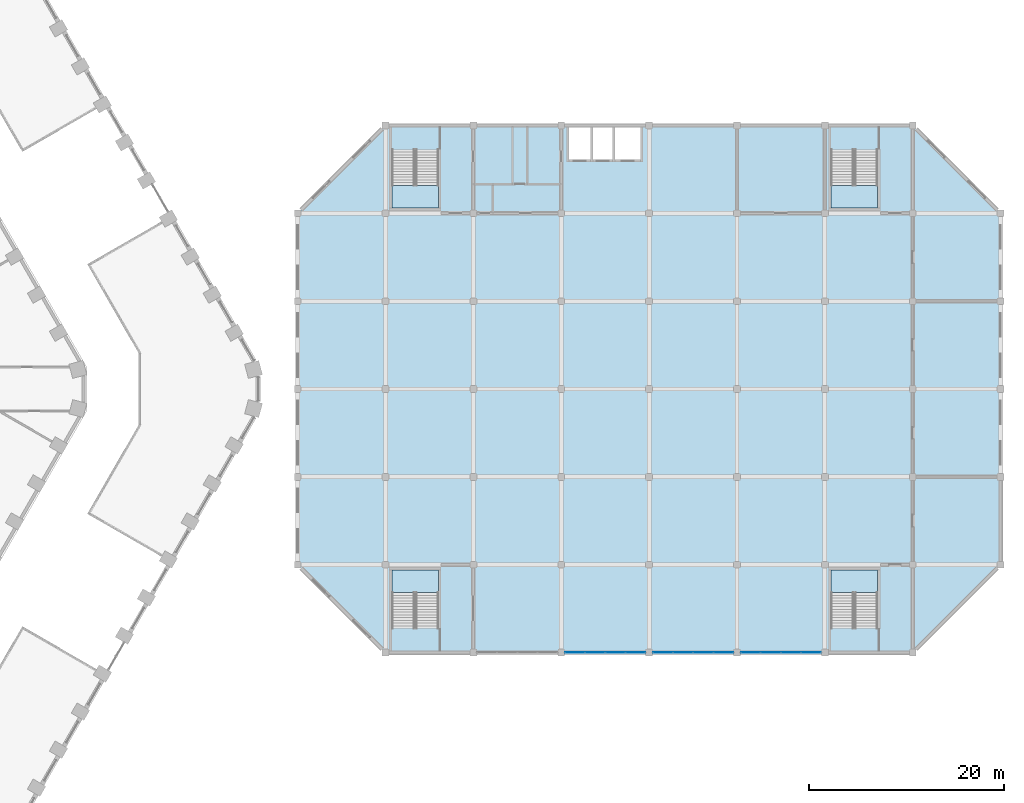
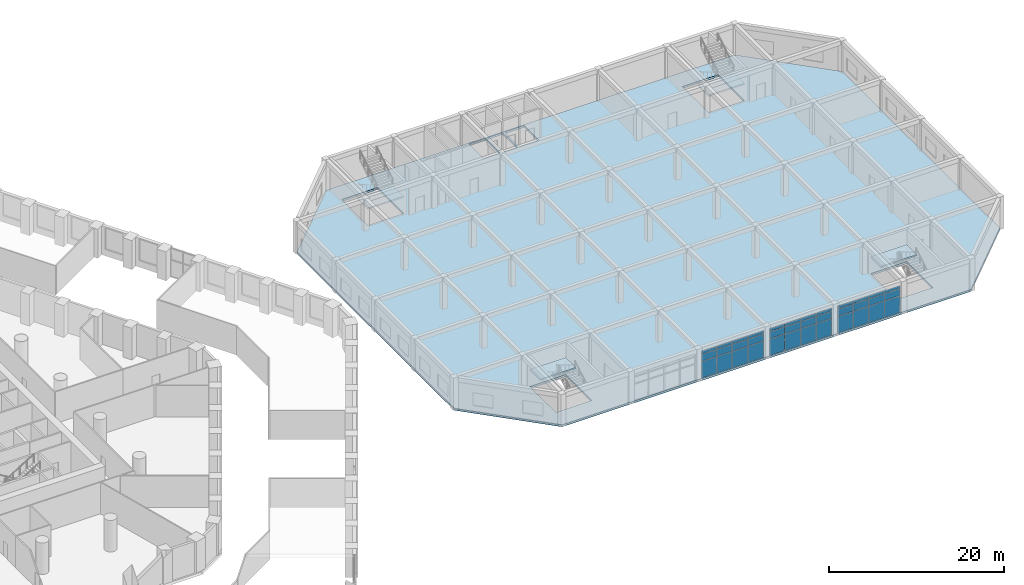
# One storey, part 16 of 42: 36 plates, 5 slabs, 7 elements without a shape of their own.
"""IFC4 building model written with IfcOpenShell, lengths in metres."""

from ifc_helpers import new_model, si_unit, direction, frame, origin, origin_2d, place, context, subcontext, project, spatial, polyline, rectangle, outline, extrude, material, layer, layer_set, type_object, element, aggregate, save


model = new_model("IFC4")

# Units and contexts
model_context = context("Model", 3, precision=1e-05, world=origin(), true_north=direction((0.0, 1.0)))
body_context = subcontext(model_context, "Body", "Model", "MODEL_VIEW")
ifc_project = project(units=[si_unit("LENGTHUNIT", "METRE"), si_unit("AREAUNIT", "SQUARE_METRE"), si_unit("VOLUMEUNIT", "CUBIC_METRE"), si_unit("PLANEANGLEUNIT", "RADIAN"), si_unit("MASSUNIT", "GRAM", prefix="KILO")], contexts=[model_context])

# Site, building, storey
site_placement = place(None, origin())
site = spatial("IfcSite", under=ifc_project, at=site_placement, CompositionType="ELEMENT")
building_placement = place(site_placement, origin())
building = spatial("IfcBuilding", under=site, at=building_placement, Name="Dhurran Vertical Campus", CompositionType="ELEMENT")
storey_placement = place(building_placement, frame((0.0, 0.0, 6.0)))
storey = spatial("IfcBuildingStorey", under=building, at=storey_placement, Name="L01", CompositionType="ELEMENT", Elevation=6.0)

# Curtain wall, plates
ifc_material_1 = material(Name="Aluminium", Category="aluminium")
ifc_layer_1 = layer(ifc_material_1, 0.159912109375)
ifc_layer_set_1 = layer_set([ifc_layer_1], Name="Aluminium")
curtain_wall_type = type_object("IfcCurtainWallType", Name="hl-curtain wall system", PredefinedType="NOTDEFINED", material=ifc_layer_set_1)
curtain_wall_1_placement = place(storey_placement, origin())
curtain_wall_1 = element("IfcCurtainWall", 1, at=curtain_wall_1_placement, inside=storey, type_object=curtain_wall_type, Name="Hall curtain wall L01-06", PredefinedType="NOTDEFINED")
ifc_material_2 = material(Name="Glass laminated", Category="glass")
ifc_layer_2 = layer(ifc_material_2, 0.028076171875)
ifc_layer_set_2 = layer_set([ifc_layer_2], Name="Glass laminated")
plate_type = type_object("IfcPlateType", Name="hl-cw glass panel 28", PredefinedType="CURTAIN_PANEL", material=ifc_layer_set_2)
plate_1_placement = place(storey_placement, frame((89.902587890625, -27.0, 0.06005859375), z_axis=(0.0, 0.0, 1.0), x_axis=(1.0, 0.0, 0.0)))
plate_1 = element("IfcPlate", 2, at=plate_1_placement, type_object=plate_type, Name="HCW panel 1.1", PredefinedType="CURTAIN_PANEL", context=body_context, shape_type="SweptSolid", body=[
    extrude(rectangle(XDim=1.985107421875, YDim=0.028076171875, at=origin_2d()), origin(), (0.0, 0.0, 1.0), 2.31005859375),
])
plate_2_placement = place(storey_placement, frame((89.902587890625, -27.0, 2.429931640625), z_axis=(0.0, 0.0, 1.0), x_axis=(1.0, 0.0, 0.0)))
plate_2 = element("IfcPlate", 3, at=plate_2_placement, type_object=plate_type, Name="HCW panel 1.2", PredefinedType="CURTAIN_PANEL", context=body_context, shape_type="SweptSolid", body=[
    extrude(rectangle(XDim=1.985107421875, YDim=0.028076171875, at=origin_2d()), origin(), (0.0, 0.0, 1.0), 0.93994140625),
])
plate_3_placement = place(storey_placement, frame((89.902587890625, -27.0, 3.43017578125), z_axis=(0.0, 0.0, 1.0), x_axis=(1.0, 0.0, 0.0)))
plate_3 = element("IfcPlate", 4, at=plate_3_placement, type_object=plate_type, Name="HCW panel 1.3", PredefinedType="CURTAIN_PANEL", context=body_context, shape_type="SweptSolid", body=[
    extrude(rectangle(XDim=1.985107421875, YDim=0.028076171875, at=origin_2d()), origin(), (0.0, 0.0, 1.0), 0.409912109375),
])
plate_4_placement = place(storey_placement, frame((91.96240234375, -27.0, 0.06005859375), z_axis=(0.0, 0.0, 1.0), x_axis=(1.0, 0.0, 0.0)))
plate_4 = element("IfcPlate", 5, at=plate_4_placement, type_object=plate_type, Name="HCW panel 2.1", PredefinedType="CURTAIN_PANEL", context=body_context, shape_type="SweptSolid", body=[
    extrude(rectangle(XDim=2.014892578125, YDim=0.028076171875, at=origin_2d()), origin(), (0.0, 0.0, 1.0), 2.31005859375),
])
plate_5_placement = place(storey_placement, frame((91.96240234375, -27.0, 2.429931640625), z_axis=(0.0, 0.0, 1.0), x_axis=(1.0, 0.0, 0.0)))
plate_5 = element("IfcPlate", 6, at=plate_5_placement, type_object=plate_type, Name="HCW panel 2.2", PredefinedType="CURTAIN_PANEL", context=body_context, shape_type="SweptSolid", body=[
    extrude(rectangle(XDim=2.014892578125, YDim=0.028076171875, at=origin_2d()), origin(), (0.0, 0.0, 1.0), 0.93994140625),
])
plate_6_placement = place(storey_placement, frame((91.96240234375, -27.0, 3.43017578125), z_axis=(0.0, 0.0, 1.0), x_axis=(1.0, 0.0, 0.0)))
plate_6 = element("IfcPlate", 7, at=plate_6_placement, type_object=plate_type, Name="HCW panel 2.3", PredefinedType="CURTAIN_PANEL", context=body_context, shape_type="SweptSolid", body=[
    extrude(rectangle(XDim=2.014892578125, YDim=0.028076171875, at=origin_2d()), origin(), (0.0, 0.0, 1.0), 0.409912109375),
])
plate_7_placement = place(storey_placement, frame((94.03759765625, -27.0, 0.06005859375), z_axis=(0.0, 0.0, 1.0), x_axis=(1.0, 0.0, 0.0)))
plate_7 = element("IfcPlate", 8, at=plate_7_placement, type_object=plate_type, Name="HCW panel 3.1", PredefinedType="CURTAIN_PANEL", context=body_context, shape_type="SweptSolid", body=[
    extrude(rectangle(XDim=2.014892578125, YDim=0.028076171875, at=origin_2d()), origin(), (0.0, 0.0, 1.0), 2.31005859375),
])
plate_8_placement = place(storey_placement, frame((94.03759765625, -27.0, 2.429931640625), z_axis=(0.0, 0.0, 1.0), x_axis=(1.0, 0.0, 0.0)))
plate_8 = element("IfcPlate", 9, at=plate_8_placement, type_object=plate_type, Name="HCW panel 3.2", PredefinedType="CURTAIN_PANEL", context=body_context, shape_type="SweptSolid", body=[
    extrude(rectangle(XDim=2.014892578125, YDim=0.028076171875, at=origin_2d()), origin(), (0.0, 0.0, 1.0), 0.93994140625),
])
plate_9_placement = place(storey_placement, frame((94.03759765625, -27.0, 3.43017578125), z_axis=(0.0, 0.0, 1.0), x_axis=(1.0, 0.0, 0.0)))
plate_9 = element("IfcPlate", 10, at=plate_9_placement, type_object=plate_type, Name="HCW panel 3.3", PredefinedType="CURTAIN_PANEL", context=body_context, shape_type="SweptSolid", body=[
    extrude(rectangle(XDim=2.014892578125, YDim=0.028076171875, at=origin_2d()), origin(), (0.0, 0.0, 1.0), 0.409912109375),
])
plate_10_placement = place(storey_placement, frame((96.097412109375, -27.0, 0.06005859375), z_axis=(0.0, 0.0, 1.0), x_axis=(1.0, 0.0, 0.0)))
plate_10 = element("IfcPlate", 11, at=plate_10_placement, type_object=plate_type, Name="HCW panel 4.1", PredefinedType="CURTAIN_PANEL", context=body_context, shape_type="SweptSolid", body=[
    extrude(rectangle(XDim=1.985107421875, YDim=0.028076171875, at=origin_2d()), origin(), (0.0, 0.0, 1.0), 2.31005859375),
])
plate_11_placement = place(storey_placement, frame((96.097412109375, -27.0, 2.429931640625), z_axis=(0.0, 0.0, 1.0), x_axis=(1.0, 0.0, 0.0)))
plate_11 = element("IfcPlate", 12, at=plate_11_placement, type_object=plate_type, Name="HCW panel 4.2", PredefinedType="CURTAIN_PANEL", context=body_context, shape_type="SweptSolid", body=[
    extrude(rectangle(XDim=1.985107421875, YDim=0.028076171875, at=origin_2d()), origin(), (0.0, 0.0, 1.0), 0.93994140625),
])
plate_12_placement = place(storey_placement, frame((96.097412109375, -27.0, 3.43017578125), z_axis=(0.0, 0.0, 1.0), x_axis=(1.0, 0.0, 0.0)))
plate_12 = element("IfcPlate", 13, at=plate_12_placement, type_object=plate_type, Name="HCW panel 4.3", PredefinedType="CURTAIN_PANEL", context=body_context, shape_type="SweptSolid", body=[
    extrude(rectangle(XDim=1.985107421875, YDim=0.028076171875, at=origin_2d()), origin(), (0.0, 0.0, 1.0), 0.409912109375),
])
aggregate(curtain_wall_1, [plate_1, plate_2, plate_3, plate_4, plate_5, plate_6, plate_7, plate_8, plate_9, plate_10, plate_11, plate_12])

curtain_wall_2_placement = place(storey_placement, origin())
curtain_wall_2 = element("IfcCurtainWall", 14, at=curtain_wall_2_placement, inside=storey, type_object=curtain_wall_type, Name="Hall curtain wall L01-07", PredefinedType="NOTDEFINED")
plate_13_placement = place(storey_placement, frame((98.902587890625, -27.0, 0.06005859375), z_axis=(0.0, 0.0, 1.0), x_axis=(1.0, 0.0, 0.0)))
plate_13 = element("IfcPlate", 15, at=plate_13_placement, type_object=plate_type, Name="HCW panel 1.1", PredefinedType="CURTAIN_PANEL", context=body_context, shape_type="SweptSolid", body=[
    extrude(rectangle(XDim=1.985107421875, YDim=0.028076171875, at=origin_2d()), origin(), (0.0, 0.0, 1.0), 2.31005859375),
])
plate_14_placement = place(storey_placement, frame((98.902587890625, -27.0, 2.429931640625), z_axis=(0.0, 0.0, 1.0), x_axis=(1.0, 0.0, 0.0)))
plate_14 = element("IfcPlate", 16, at=plate_14_placement, type_object=plate_type, Name="HCW panel 1.2", PredefinedType="CURTAIN_PANEL", context=body_context, shape_type="SweptSolid", body=[
    extrude(rectangle(XDim=1.985107421875, YDim=0.028076171875, at=origin_2d()), origin(), (0.0, 0.0, 1.0), 0.93994140625),
])
plate_15_placement = place(storey_placement, frame((98.902587890625, -27.0, 3.43017578125), z_axis=(0.0, 0.0, 1.0), x_axis=(1.0, 0.0, 0.0)))
plate_15 = element("IfcPlate", 17, at=plate_15_placement, type_object=plate_type, Name="HCW panel 1.3", PredefinedType="CURTAIN_PANEL", context=body_context, shape_type="SweptSolid", body=[
    extrude(rectangle(XDim=1.985107421875, YDim=0.028076171875, at=origin_2d()), origin(), (0.0, 0.0, 1.0), 0.409912109375),
])
plate_16_placement = place(storey_placement, frame((100.96240234375, -27.0, 0.06005859375), z_axis=(0.0, 0.0, 1.0), x_axis=(1.0, 0.0, 0.0)))
plate_16 = element("IfcPlate", 18, at=plate_16_placement, type_object=plate_type, Name="HCW panel 2.1", PredefinedType="CURTAIN_PANEL", context=body_context, shape_type="SweptSolid", body=[
    extrude(rectangle(XDim=2.014892578125, YDim=0.028076171875, at=origin_2d()), origin(), (0.0, 0.0, 1.0), 2.31005859375),
])
plate_17_placement = place(storey_placement, frame((100.96240234375, -27.0, 2.429931640625), z_axis=(0.0, 0.0, 1.0), x_axis=(1.0, 0.0, 0.0)))
plate_17 = element("IfcPlate", 19, at=plate_17_placement, type_object=plate_type, Name="HCW panel 2.2", PredefinedType="CURTAIN_PANEL", context=body_context, shape_type="SweptSolid", body=[
    extrude(rectangle(XDim=2.014892578125, YDim=0.028076171875, at=origin_2d()), origin(), (0.0, 0.0, 1.0), 0.93994140625),
])
plate_18_placement = place(storey_placement, frame((100.96240234375, -27.0, 3.43017578125), z_axis=(0.0, 0.0, 1.0), x_axis=(1.0, 0.0, 0.0)))
plate_18 = element("IfcPlate", 20, at=plate_18_placement, type_object=plate_type, Name="HCW panel 2.3", PredefinedType="CURTAIN_PANEL", context=body_context, shape_type="SweptSolid", body=[
    extrude(rectangle(XDim=2.014892578125, YDim=0.028076171875, at=origin_2d()), origin(), (0.0, 0.0, 1.0), 0.409912109375),
])
plate_19_placement = place(storey_placement, frame((103.03759765625, -27.0, 0.06005859375), z_axis=(0.0, 0.0, 1.0), x_axis=(1.0, 0.0, 0.0)))
plate_19 = element("IfcPlate", 21, at=plate_19_placement, type_object=plate_type, Name="HCW panel 3.1", PredefinedType="CURTAIN_PANEL", context=body_context, shape_type="SweptSolid", body=[
    extrude(rectangle(XDim=2.014892578125, YDim=0.028076171875, at=origin_2d()), origin(), (0.0, 0.0, 1.0), 2.31005859375),
])
plate_20_placement = place(storey_placement, frame((103.03759765625, -27.0, 2.429931640625), z_axis=(0.0, 0.0, 1.0), x_axis=(1.0, 0.0, 0.0)))
plate_20 = element("IfcPlate", 22, at=plate_20_placement, type_object=plate_type, Name="HCW panel 3.2", PredefinedType="CURTAIN_PANEL", context=body_context, shape_type="SweptSolid", body=[
    extrude(rectangle(XDim=2.014892578125, YDim=0.028076171875, at=origin_2d()), origin(), (0.0, 0.0, 1.0), 0.93994140625),
])
plate_21_placement = place(storey_placement, frame((103.03759765625, -27.0, 3.43017578125), z_axis=(0.0, 0.0, 1.0), x_axis=(1.0, 0.0, 0.0)))
plate_21 = element("IfcPlate", 23, at=plate_21_placement, type_object=plate_type, Name="HCW panel 3.3", PredefinedType="CURTAIN_PANEL", context=body_context, shape_type="SweptSolid", body=[
    extrude(rectangle(XDim=2.014892578125, YDim=0.028076171875, at=origin_2d()), origin(), (0.0, 0.0, 1.0), 0.409912109375),
])
plate_22_placement = place(storey_placement, frame((105.097412109375, -27.0, 0.06005859375), z_axis=(0.0, 0.0, 1.0), x_axis=(1.0, 0.0, 0.0)))
plate_22 = element("IfcPlate", 24, at=plate_22_placement, type_object=plate_type, Name="HCW panel 4.1", PredefinedType="CURTAIN_PANEL", context=body_context, shape_type="SweptSolid", body=[
    extrude(rectangle(XDim=1.985107421875, YDim=0.028076171875, at=origin_2d()), origin(), (0.0, 0.0, 1.0), 2.31005859375),
])
plate_23_placement = place(storey_placement, frame((105.097412109375, -27.0, 2.429931640625), z_axis=(0.0, 0.0, 1.0), x_axis=(1.0, 0.0, 0.0)))
plate_23 = element("IfcPlate", 25, at=plate_23_placement, type_object=plate_type, Name="HCW panel 4.2", PredefinedType="CURTAIN_PANEL", context=body_context, shape_type="SweptSolid", body=[
    extrude(rectangle(XDim=1.985107421875, YDim=0.028076171875, at=origin_2d()), origin(), (0.0, 0.0, 1.0), 0.93994140625),
])
plate_24_placement = place(storey_placement, frame((105.097412109375, -27.0, 3.43017578125), z_axis=(0.0, 0.0, 1.0), x_axis=(1.0, 0.0, 0.0)))
plate_24 = element("IfcPlate", 26, at=plate_24_placement, type_object=plate_type, Name="HCW panel 4.3", PredefinedType="CURTAIN_PANEL", context=body_context, shape_type="SweptSolid", body=[
    extrude(rectangle(XDim=1.985107421875, YDim=0.028076171875, at=origin_2d()), origin(), (0.0, 0.0, 1.0), 0.409912109375),
])
aggregate(curtain_wall_2, [plate_13, plate_14, plate_15, plate_16, plate_17, plate_18, plate_19, plate_20, plate_21, plate_22, plate_23, plate_24])

curtain_wall_3_placement = place(storey_placement, origin())
curtain_wall_3 = element("IfcCurtainWall", 27, at=curtain_wall_3_placement, inside=storey, type_object=curtain_wall_type, Name="Hall curtain wall L01-08", PredefinedType="NOTDEFINED")
plate_25_placement = place(storey_placement, frame((107.902587890625, -27.0, 0.06005859375), z_axis=(0.0, 0.0, 1.0), x_axis=(1.0, 0.0, 0.0)))
plate_25 = element("IfcPlate", 28, at=plate_25_placement, type_object=plate_type, Name="HCW panel 1.1", PredefinedType="CURTAIN_PANEL", context=body_context, shape_type="SweptSolid", body=[
    extrude(rectangle(XDim=1.985107421875, YDim=0.028076171875, at=origin_2d()), origin(), (0.0, 0.0, 1.0), 2.31005859375),
])
plate_26_placement = place(storey_placement, frame((107.902587890625, -27.0, 2.429931640625), z_axis=(0.0, 0.0, 1.0), x_axis=(1.0, 0.0, 0.0)))
plate_26 = element("IfcPlate", 29, at=plate_26_placement, type_object=plate_type, Name="HCW panel 1.2", PredefinedType="CURTAIN_PANEL", context=body_context, shape_type="SweptSolid", body=[
    extrude(rectangle(XDim=1.985107421875, YDim=0.028076171875, at=origin_2d()), origin(), (0.0, 0.0, 1.0), 0.93994140625),
])
plate_27_placement = place(storey_placement, frame((107.902587890625, -27.0, 3.43017578125), z_axis=(0.0, 0.0, 1.0), x_axis=(1.0, 0.0, 0.0)))
plate_27 = element("IfcPlate", 30, at=plate_27_placement, type_object=plate_type, Name="HCW panel 1.3", PredefinedType="CURTAIN_PANEL", context=body_context, shape_type="SweptSolid", body=[
    extrude(rectangle(XDim=1.985107421875, YDim=0.028076171875, at=origin_2d()), origin(), (0.0, 0.0, 1.0), 0.409912109375),
])
plate_28_placement = place(storey_placement, frame((109.96240234375, -27.0, 0.06005859375), z_axis=(0.0, 0.0, 1.0), x_axis=(1.0, 0.0, 0.0)))
plate_28 = element("IfcPlate", 31, at=plate_28_placement, type_object=plate_type, Name="HCW panel 2.1", PredefinedType="CURTAIN_PANEL", context=body_context, shape_type="SweptSolid", body=[
    extrude(rectangle(XDim=2.014892578125, YDim=0.028076171875, at=origin_2d()), origin(), (0.0, 0.0, 1.0), 2.31005859375),
])
plate_29_placement = place(storey_placement, frame((109.96240234375, -27.0, 2.429931640625), z_axis=(0.0, 0.0, 1.0), x_axis=(1.0, 0.0, 0.0)))
plate_29 = element("IfcPlate", 32, at=plate_29_placement, type_object=plate_type, Name="HCW panel 2.2", PredefinedType="CURTAIN_PANEL", context=body_context, shape_type="SweptSolid", body=[
    extrude(rectangle(XDim=2.014892578125, YDim=0.028076171875, at=origin_2d()), origin(), (0.0, 0.0, 1.0), 0.93994140625),
])
plate_30_placement = place(storey_placement, frame((109.96240234375, -27.0, 3.43017578125), z_axis=(0.0, 0.0, 1.0), x_axis=(1.0, 0.0, 0.0)))
plate_30 = element("IfcPlate", 33, at=plate_30_placement, type_object=plate_type, Name="HCW panel 2.3", PredefinedType="CURTAIN_PANEL", context=body_context, shape_type="SweptSolid", body=[
    extrude(rectangle(XDim=2.014892578125, YDim=0.028076171875, at=origin_2d()), origin(), (0.0, 0.0, 1.0), 0.409912109375),
])
plate_31_placement = place(storey_placement, frame((112.03759765625, -27.0, 0.06005859375), z_axis=(0.0, 0.0, 1.0), x_axis=(1.0, 0.0, 0.0)))
plate_31 = element("IfcPlate", 34, at=plate_31_placement, type_object=plate_type, Name="HCW panel 3.1", PredefinedType="CURTAIN_PANEL", context=body_context, shape_type="SweptSolid", body=[
    extrude(rectangle(XDim=2.014892578125, YDim=0.028076171875, at=origin_2d()), origin(), (0.0, 0.0, 1.0), 2.31005859375),
])
plate_32_placement = place(storey_placement, frame((112.03759765625, -27.0, 2.429931640625), z_axis=(0.0, 0.0, 1.0), x_axis=(1.0, 0.0, 0.0)))
plate_32 = element("IfcPlate", 35, at=plate_32_placement, type_object=plate_type, Name="HCW panel 3.2", PredefinedType="CURTAIN_PANEL", context=body_context, shape_type="SweptSolid", body=[
    extrude(rectangle(XDim=2.014892578125, YDim=0.028076171875, at=origin_2d()), origin(), (0.0, 0.0, 1.0), 0.93994140625),
])
plate_33_placement = place(storey_placement, frame((112.03759765625, -27.0, 3.43017578125), z_axis=(0.0, 0.0, 1.0), x_axis=(1.0, 0.0, 0.0)))
plate_33 = element("IfcPlate", 36, at=plate_33_placement, type_object=plate_type, Name="HCW panel 3.3", PredefinedType="CURTAIN_PANEL", context=body_context, shape_type="SweptSolid", body=[
    extrude(rectangle(XDim=2.014892578125, YDim=0.028076171875, at=origin_2d()), origin(), (0.0, 0.0, 1.0), 0.409912109375),
])
plate_34_placement = place(storey_placement, frame((114.097412109375, -27.0, 0.06005859375), z_axis=(0.0, 0.0, 1.0), x_axis=(1.0, 0.0, 0.0)))
plate_34 = element("IfcPlate", 37, at=plate_34_placement, type_object=plate_type, Name="HCW panel 4.1", PredefinedType="CURTAIN_PANEL", context=body_context, shape_type="SweptSolid", body=[
    extrude(rectangle(XDim=1.985107421875, YDim=0.028076171875, at=origin_2d()), origin(), (0.0, 0.0, 1.0), 2.31005859375),
])
plate_35_placement = place(storey_placement, frame((114.097412109375, -27.0, 2.429931640625), z_axis=(0.0, 0.0, 1.0), x_axis=(1.0, 0.0, 0.0)))
plate_35 = element("IfcPlate", 38, at=plate_35_placement, type_object=plate_type, Name="HCW panel 4.2", PredefinedType="CURTAIN_PANEL", context=body_context, shape_type="SweptSolid", body=[
    extrude(rectangle(XDim=1.985107421875, YDim=0.028076171875, at=origin_2d()), origin(), (0.0, 0.0, 1.0), 0.93994140625),
])
plate_36_placement = place(storey_placement, frame((114.097412109375, -27.0, 3.43017578125), z_axis=(0.0, 0.0, 1.0), x_axis=(1.0, 0.0, 0.0)))
plate_36 = element("IfcPlate", 39, at=plate_36_placement, type_object=plate_type, Name="HCW panel 4.3", PredefinedType="CURTAIN_PANEL", context=body_context, shape_type="SweptSolid", body=[
    extrude(rectangle(XDim=1.985107421875, YDim=0.028076171875, at=origin_2d()), origin(), (0.0, 0.0, 1.0), 0.409912109375),
])
aggregate(curtain_wall_3, [plate_25, plate_26, plate_27, plate_28, plate_29, plate_30, plate_31, plate_32, plate_33, plate_34, plate_35, plate_36])

# Slab
ifc_material_3 = material(Name="Concrete C40/50", Category="concrete")
ifc_layer_3 = layer(ifc_material_3, 0.280029296875)
ifc_layer_set_3 = layer_set([ifc_layer_3], Name="Concrete C40/50")
slab_type_1 = type_object("IfcSlabType", Name="hl-floor slab 280", PredefinedType="FLOOR", material=ifc_layer_set_3)
slab_1_placement = place(storey_placement, frame((0.0, 0.0, -0.280029296875)))
element("IfcSlab", 40, at=slab_1_placement, inside=storey, type_object=slab_type_1, Name="Hall L01 slab", PredefinedType="FLOOR", context=body_context, shape_type="SweptSolid", body=[
    extrude(outline(polyline([(61.5, -18.0), (70.5, -27.0), (124.5, -27.0), (133.5, -18.0), (133.5, 18.0), (124.5, 27.0), (70.5, 27.0), (61.5, 18.0), (61.5, -18.0)]), holes=[polyline([(71.14990234375, -24.5), (75.89990234375, -24.5), (75.89990234375, -18.550048828125), (71.14990234375, -18.550048828125), (71.14990234375, -24.5)]), polyline([(116.14990234375, 18.550048828125), (120.89990234375, 18.550048828125), (120.89990234375, 24.5), (116.14990234375, 24.5), (116.14990234375, 18.550048828125)]), polyline([(71.14990234375, 18.550048828125), (75.89990234375, 18.550048828125), (75.89990234375, 24.5), (71.14990234375, 24.5), (71.14990234375, 18.550048828125)]), polyline([(116.14990234375, -24.5), (120.89990234375, -24.5), (120.89990234375, -18.550048828125), (116.14990234375, -18.550048828125), (116.14990234375, -24.5)]), polyline([(89.300048828125, 23.5), (91.5, 23.5), (91.5, 26.85009765625), (89.300048828125, 26.85009765625), (89.300048828125, 23.5)]), polyline([(91.75, 23.5), (93.75, 23.5), (93.75, 26.85009765625), (91.75, 26.85009765625), (91.75, 23.5)]), polyline([(94.0, 23.5), (96.60009765625, 23.5), (96.60009765625, 26.85009765625), (94.0, 26.85009765625), (94.0, 23.5)])]), origin(), (0.0, 0.0, 1.0), 0.280029296875),
])

# Stair, slab
ifc_material_4 = material(Name="Concrete C40/50", Category="concrete")
stair_type = type_object("IfcStairType", Name="hl-exit stair dog-leg", PredefinedType="HALF_TURN_STAIR", material=ifc_material_4)
stair_1_placement = place(storey_placement, origin())
stair_1 = element("IfcStair", 41, at=stair_1_placement, inside=storey, type_object=stair_type, Name="L01 Exit stair HST1", PredefinedType="HALF_TURN_STAIR")
ifc_material_5 = material(Name="Concrete C40/50", Category="concrete")
ifc_layer_4 = layer(ifc_material_5, 0.199951171875)
ifc_layer_set_4 = layer_set([ifc_layer_4], Name="Concrete C40/50")
slab_type_2 = type_object("IfcSlabType", Name="hl-stair landing 200", PredefinedType="LANDING", material=ifc_layer_set_4)
slab_2_placement = place(storey_placement, frame((0.0, 0.0, 2.199951171875)))
slab_2 = element("IfcSlab", 42, at=slab_2_placement, type_object=slab_type_2, Name="HST1 landing 1", PredefinedType="LANDING", context=body_context, shape_type="SweptSolid", body=[
    extrude(outline(polyline([(75.89990234375, -20.85791015625), (75.89990234375, -18.550048828125), (71.14990234375, -18.550048828125), (71.14990234375, -20.85791015625), (75.89990234375, -20.85791015625)])), origin(), (0.0, 0.0, 1.0), 0.199951171875),
])
aggregate(stair_1, [slab_2])

stair_2_placement = place(storey_placement, origin())
stair_2 = element("IfcStair", 43, at=stair_2_placement, inside=storey, type_object=stair_type, Name="L01 Exit stair HST2", PredefinedType="HALF_TURN_STAIR")
slab_3_placement = place(storey_placement, frame((0.0, 0.0, 2.199951171875)))
slab_3 = element("IfcSlab", 44, at=slab_3_placement, type_object=slab_type_2, Name="HST2 landing 1", PredefinedType="LANDING", context=body_context, shape_type="SweptSolid", body=[
    extrude(outline(polyline([(116.14990234375, 20.85791015625), (116.14990234375, 18.550048828125), (120.89990234375, 18.550048828125), (120.89990234375, 20.85791015625), (116.14990234375, 20.85791015625)])), origin(), (0.0, 0.0, 1.0), 0.199951171875),
])
aggregate(stair_2, [slab_3])

stair_3_placement = place(storey_placement, origin())
stair_3 = element("IfcStair", 45, at=stair_3_placement, inside=storey, type_object=stair_type, Name="L01 Exit stair HST3", PredefinedType="HALF_TURN_STAIR")
slab_4_placement = place(storey_placement, frame((0.0, 0.0, 2.199951171875)))
slab_4 = element("IfcSlab", 46, at=slab_4_placement, type_object=slab_type_2, Name="HST3 landing 1", PredefinedType="LANDING", context=body_context, shape_type="SweptSolid", body=[
    extrude(outline(polyline([(71.14990234375, 20.85791015625), (71.14990234375, 18.550048828125), (75.89990234375, 18.550048828125), (75.89990234375, 20.85791015625), (71.14990234375, 20.85791015625)])), origin(), (0.0, 0.0, 1.0), 0.199951171875),
])
aggregate(stair_3, [slab_4])

stair_4_placement = place(storey_placement, origin())
stair_4 = element("IfcStair", 47, at=stair_4_placement, inside=storey, type_object=stair_type, Name="L01 Exit stair HST4", PredefinedType="HALF_TURN_STAIR")
slab_5_placement = place(storey_placement, frame((0.0, 0.0, 2.199951171875)))
slab_5 = element("IfcSlab", 48, at=slab_5_placement, type_object=slab_type_2, Name="HST4 landing 1", PredefinedType="LANDING", context=body_context, shape_type="SweptSolid", body=[
    extrude(outline(polyline([(120.89990234375, -20.85791015625), (120.89990234375, -18.550048828125), (116.14990234375, -18.550048828125), (116.14990234375, -20.85791015625), (120.89990234375, -20.85791015625)])), origin(), (0.0, 0.0, 1.0), 0.199951171875),
])
aggregate(stair_4, [slab_5])

save(model, "model.ifc")
